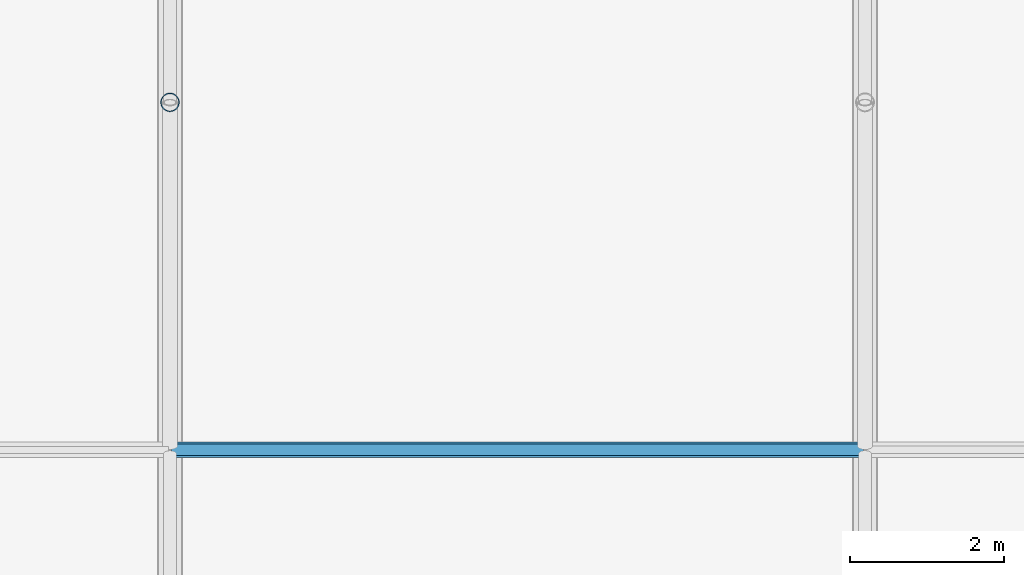
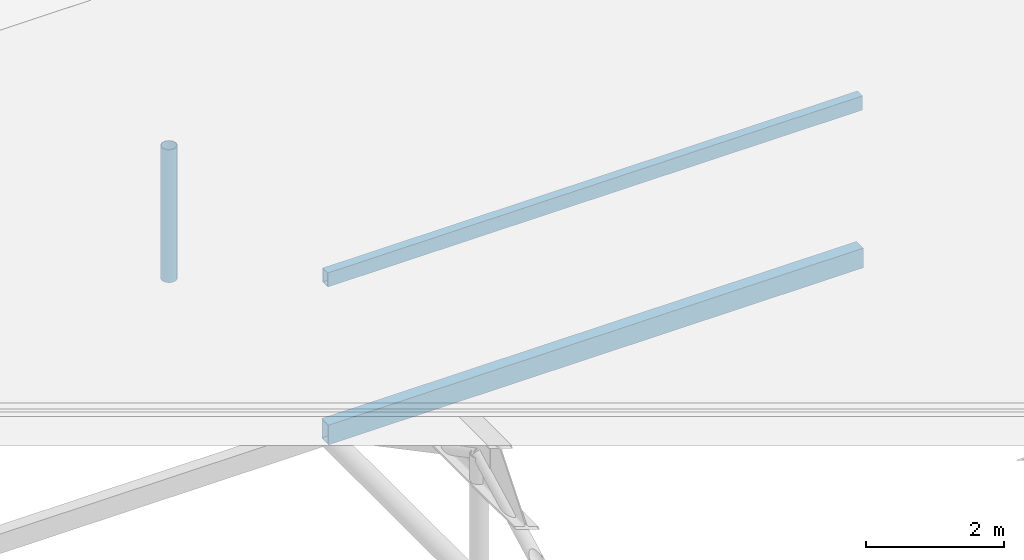
# One storey, part 62 of 196: 3 members.
"""IFC4 building model written with IfcOpenShell, lengths in metres."""

from ifc_helpers import new_model, si_unit, direction, frame, origin, origin_2d, place, context, subcontext, project, spatial, hollow_rectangle, hollow_circle, extrude, material, material_profile, profile_set, type_object, element, save


model = new_model("IFC4")

# Units and contexts
model_context = context("Model", 3, precision=1e-05, world=origin(), true_north=direction((0.0, 1.0)))
body_context = subcontext(model_context, "Body", "Model", "MODEL_VIEW")
ifc_project = project(units=[si_unit("LENGTHUNIT", "METRE"), si_unit("AREAUNIT", "SQUARE_METRE"), si_unit("VOLUMEUNIT", "CUBIC_METRE"), si_unit("PLANEANGLEUNIT", "RADIAN"), si_unit("MASSUNIT", "GRAM", prefix="KILO")], contexts=[model_context])

# Site, building, storey
site_placement = place(None, origin())
site = spatial("IfcSite", under=ifc_project, at=site_placement, CompositionType="ELEMENT")
building_placement = place(site_placement, origin())
building = spatial("IfcBuilding", under=site, at=building_placement, Name="Barlavento Convention Centre", CompositionType="ELEMENT")
storey_placement = place(building_placement, frame((0.0, 0.0, 18.0)))
storey = spatial("IfcBuildingStorey", under=building, at=storey_placement, Name="L03", CompositionType="ELEMENT", Elevation=18.0)

# Members
ifc_material = material(Name="Steel S355", Category="steel")
ifc_material_profile_1 = material_profile(ifc_material, hollow_rectangle(XDim=0.199951171875, YDim=0.35009765625, WallThickness=0.012451171875, at=origin_2d()), Name="RHS 350x200x12.5")
ifc_profile_set_1 = profile_set([ifc_material_profile_1], Name="Steel S355")
member_type_1 = type_object("IfcMemberType", Name="STR-MEM-COL-RHS350", PredefinedType="COLLAR", material=ifc_profile_set_1)
member_1_placement = place(storey_placement, frame((54.02001953125, 90.0, -3.199951171875), z_axis=(1.0, 0.0, 0.0), x_axis=(0.0, 1.0, 0.0)))
element("IfcMember", 1, at=member_1_placement, inside=storey, type_object=member_type_1, Name="Exhibition space frame transverse chord", PredefinedType="COLLAR", context=body_context, shape_type="SweptSolid", body=[
    extrude(hollow_rectangle(XDim=0.199951171875, YDim=0.35009765625, WallThickness=0.012451171875, at=origin_2d()), origin(), (0.0, 0.0, 1.0), 8.9599609375),
])
ifc_material_profile_2 = material_profile(ifc_material, hollow_rectangle(XDim=0.14990234375, YDim=0.25, WallThickness=0.010009765625, at=origin_2d()), Name="RHS 250x150x10.0")
ifc_profile_set_2 = profile_set([ifc_material_profile_2], Name="Steel S355")
member_type_2 = type_object("IfcMemberType", Name="STR-MEM-PUR-RHS250", PredefinedType="PURLIN", material=ifc_profile_set_2)
member_2_placement = place(storey_placement, frame((54.02001953125, 90.0, -0.469970703125), z_axis=(1.0, 0.0, 0.0), x_axis=(0.0, 1.0, 0.0)))
element("IfcMember", 2, at=member_2_placement, inside=storey, type_object=member_type_2, Name="Exhibition roof purlin", PredefinedType="PURLIN", context=body_context, shape_type="SweptSolid", body=[
    extrude(hollow_rectangle(XDim=0.14990234375, YDim=0.25, WallThickness=0.010009765625, at=origin_2d()), origin(), (0.0, 0.0, 1.0), 8.9599609375),
])
ifc_material_profile_3 = material_profile(ifc_material, hollow_circle(Radius=0.122314453125, WallThickness=0.012451171875, at=origin_2d()), Name="CHS 244.5x12.5")
ifc_profile_set_3 = profile_set([ifc_material_profile_3], Name="Steel S355")
member_type_3 = type_object("IfcMemberType", Name="STR-MEM-STRUT-CHS244", PredefinedType="STRUT", material=ifc_profile_set_3)
member_3_placement = place(storey_placement, frame((54.0, 94.5, -3.199951171875), z_axis=(0.0, 0.0, 1.0), x_axis=(1.0, 0.0, 0.0)))
element("IfcMember", 3, at=member_3_placement, inside=storey, type_object=member_type_3, Name="Exhibition space frame vertical strut", PredefinedType="STRUT", context=body_context, shape_type="SweptSolid", body=[
    extrude(hollow_circle(Radius=0.122314453125, WallThickness=0.012451171875, at=origin_2d()), origin(), (0.0, 0.0, 1.0), 2.35498046875),
])

save(model, "model.ifc")
